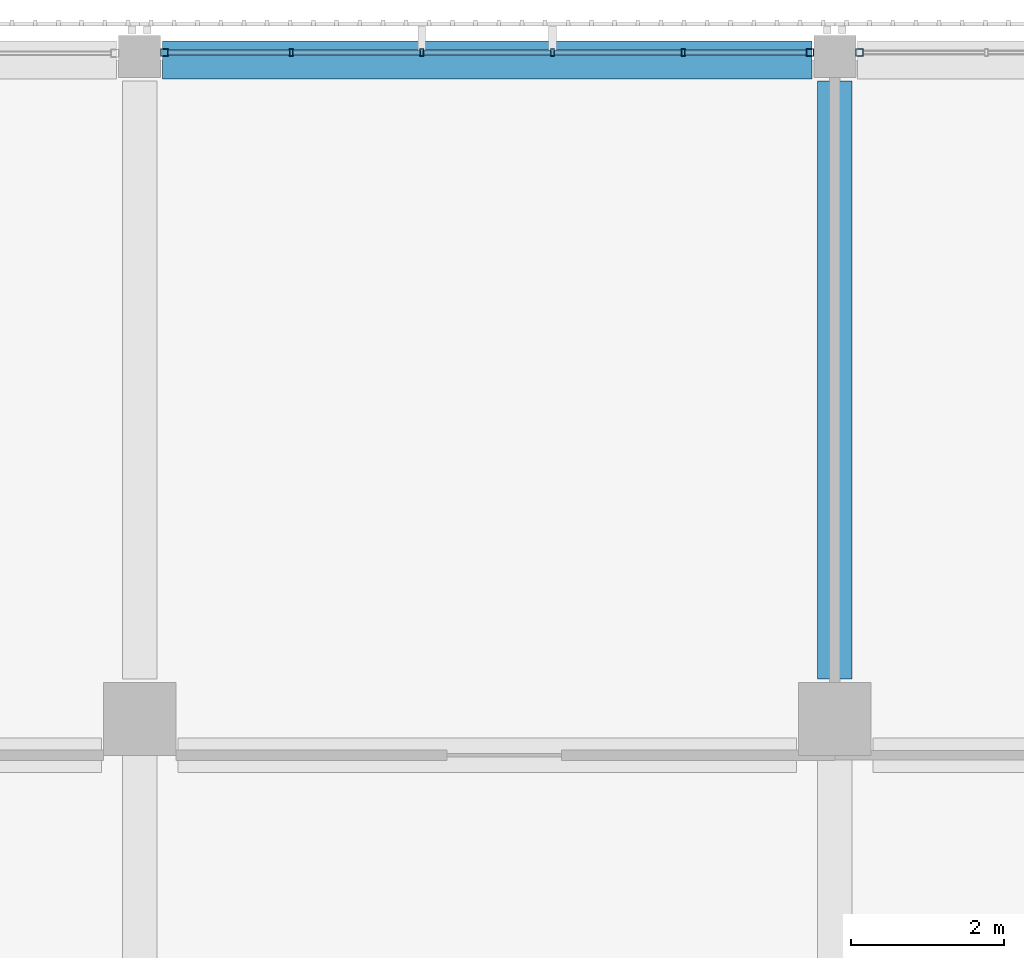
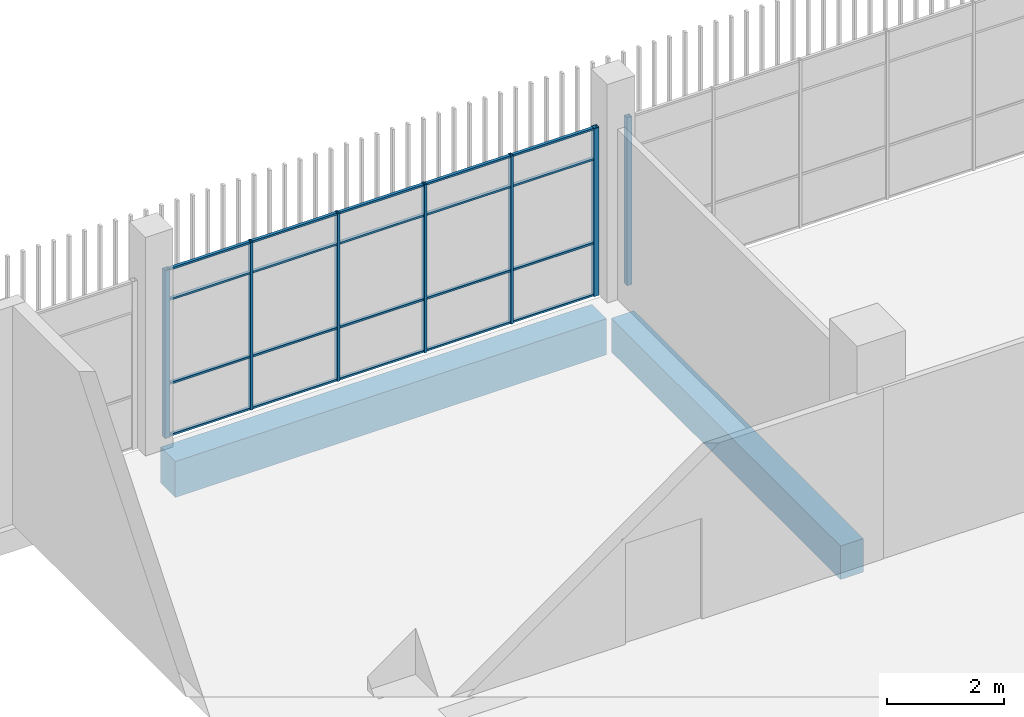
# One storey, part 30 of 104: 27 members, 2 beams, 2 elements without a shape of their own.
"""IFC4 building model written with IfcOpenShell, lengths in metres."""

import ifcopenshell
import ifcopenshell.guid

model = None  # the IFC model being written
_history = None  # IfcOwnerHistory: only IFC2X3 demands one
_inside = {}  # id of a spatial element -> (the spatial element, [elements in it])
_under = {}  # id of a project, library or spatial element -> (it, [spatial elements below it])
_declared = {}  # id of a project -> (the project, [libraries it declares])
_typed = {}  # id of a type object -> (the type object, [elements of that type])
_made_of = {}  # id of a material, layer set ... -> (it, [elements and type objects made of it])


def new_model(schema):
    """Start an empty IFC model of exactly this schema.

    Asked for "IFC4X3", IfcOpenShell would pick the latest addendum, in which some entities
    have other attributes; the version numbers below select the first issue.
    IFC2X3 requires an IfcOwnerHistory on every rooted entity: one is made here for all.
    """
    global model, _history
    if schema == "IFC4X3":
        model = ifcopenshell.file(schema_version=(4, 3, 0, 0))
    else:
        model = ifcopenshell.file(schema=schema)
    _inside.clear()
    _under.clear()
    _declared.clear()
    _typed.clear()
    _made_of.clear()
    _history = None
    if model.schema == "IFC2X3":
        org = make("IfcOrganization", Name="unknown")
        user = make(
            "IfcPersonAndOrganization",
            ThePerson=make("IfcPerson", FamilyName="unknown"),
            TheOrganization=org,
        )
        app = make(
            "IfcApplication",
            ApplicationDeveloper=org,
            Version="unknown",
            ApplicationFullName="unknown",
            ApplicationIdentifier="unknown",
        )
        _history = make(
            "IfcOwnerHistory",
            OwningUser=user,
            OwningApplication=app,
            ChangeAction="ADDED",
            CreationDate=0,
        )
    return model


def make(cls, **values):
    """One entity of the class cls with the attributes given. An attribute that is None is left unset."""
    return model.create_entity(
        cls, **{name: value for name, value in values.items() if value is not None}
    )


def rooted(cls, **values):
    """An entity with a GlobalId (a new one), such as an element, a storey or a relation."""
    return make(cls, GlobalId=ifcopenshell.guid.new(), OwnerHistory=_history, **values)


def si_unit(unit_type, name, prefix=None):
    """IfcSIUnit, for example si_unit("LENGTHUNIT", "METRE", prefix="MILLI")."""
    return make("IfcSIUnit", UnitType=unit_type, Prefix=prefix, Name=name)


def assignment(units):
    """IfcUnitAssignment: the units of a project."""
    return None if units is None else make("IfcUnitAssignment", Units=units)


def point(xyz):
    """IfcCartesianPoint."""
    return None if xyz is None else make("IfcCartesianPoint", Coordinates=xyz)


def direction(xyz):
    """IfcDirection."""
    return None if xyz is None else make("IfcDirection", DirectionRatios=xyz)


def frame(location, z_axis=None, x_axis=None):
    """IfcAxis2Placement3D, a coordinate frame: its origin and axes. An axis left out is left unset."""
    return make(
        "IfcAxis2Placement3D",
        Location=point(location),
        Axis=direction(z_axis),
        RefDirection=direction(x_axis),
    )


def frame_2d(location, x_axis=None):
    """IfcAxis2Placement2D, a coordinate frame in the plane: its origin and x axis."""
    return make(
        "IfcAxis2Placement2D", Location=point(location), RefDirection=direction(x_axis)
    )


def origin():
    """The frame at (0, 0, 0) with its axes left unset."""
    return frame((0.0, 0.0, 0.0))


def origin_2d():
    """The frame at (0, 0) in the plane with its x axis left unset."""
    return frame_2d((0.0, 0.0))


def place(relative_to, where):
    """IfcLocalPlacement: puts the frame where relative to a parent placement (None: the world)."""
    return make(
        "IfcLocalPlacement", PlacementRelTo=relative_to, RelativePlacement=where
    )


def context(
    kind, dimensions, precision=None, world=None, true_north=None, identifier=None
):
    """IfcGeometricRepresentationContext, for example the 3D "Model" context."""
    return make(
        "IfcGeometricRepresentationContext",
        ContextIdentifier=identifier,
        ContextType=kind,
        CoordinateSpaceDimension=dimensions,
        Precision=precision,
        WorldCoordinateSystem=world,
        TrueNorth=true_north,
    )


def subcontext(parent, identifier, kind, view, scale=None):
    """IfcGeometricRepresentationSubContext, for example "Body" below "Model"."""
    return make(
        "IfcGeometricRepresentationSubContext",
        ContextIdentifier=identifier,
        ContextType=kind,
        ParentContext=parent,
        TargetScale=scale,
        TargetView=view,
    )


def project(units=None, contexts=None):
    """IfcProject with its units and contexts."""
    return rooted(
        "IfcProject",
        Name="project",
        RepresentationContexts=contexts,
        UnitsInContext=assignment(units),
    )


def spatial(cls, under=None, at=None, **own):
    """A site, building, storey or space (cls), placed at a placement, below another one or the project."""
    s = rooted(cls, ObjectPlacement=at, **own)
    if under is not None:
        _under.setdefault(under.id(), (under, []))[1].append(s)
    return s


def profile(cls, at=None, kind="AREA", **sizes):
    """A parametric profile (cls). Its sizes go by their IFC names, for example OverallWidth=200.0."""
    return make(cls, ProfileType=kind, Position=at, **sizes)


def rectangle(**sizes):
    """IfcRectangleProfileDef."""
    return profile("IfcRectangleProfileDef", **sizes)


def hollow_rectangle(**sizes):
    """IfcRectangleHollowProfileDef."""
    return profile("IfcRectangleHollowProfileDef", **sizes)


def extrude(swept, where, along, depth):
    """IfcExtrudedAreaSolid: the profile swept, set in the frame where, extruded along a direction by depth."""
    return make(
        "IfcExtrudedAreaSolid",
        SweptArea=swept,
        Position=where,
        ExtrudedDirection=direction(along),
        Depth=depth,
    )


def shape(context_of_items, identifier, shape_type, items):
    """IfcShapeRepresentation: the items that make up one representation, for example the "Body"."""
    return make(
        "IfcShapeRepresentation",
        ContextOfItems=context_of_items,
        RepresentationIdentifier=identifier,
        RepresentationType=shape_type,
        Items=items,
    )


def material(Name=None, Category=None):
    """IfcMaterial."""
    return make("IfcMaterial", Name=Name, Category=Category)


def layer(
    of_material, thickness, ventilated=None, Name=None, Category=None, Priority=None
):
    """IfcMaterialLayer: one layer of a wall or slab, of a material (None: an air gap)."""
    return make(
        "IfcMaterialLayer",
        Material=of_material,
        LayerThickness=thickness,
        IsVentilated=ventilated,
        Name=Name,
        Category=Category,
        Priority=Priority,
    )


def layer_set(layers, Name=None):
    """IfcMaterialLayerSet."""
    return make("IfcMaterialLayerSet", MaterialLayers=layers, LayerSetName=Name)


def material_profile(
    of_material, cross_section, Name=None, Category=None, Priority=None
):
    """IfcMaterialProfile: a cross section and its material."""
    return make(
        "IfcMaterialProfile",
        Name=Name,
        Material=of_material,
        Profile=cross_section,
        Priority=Priority,
        Category=Category,
    )


def profile_set(profiles, Name=None, composite=None):
    """IfcMaterialProfileSet."""
    return make(
        "IfcMaterialProfileSet",
        Name=Name,
        MaterialProfiles=profiles,
        CompositeProfile=composite,
    )


def made_of(thing, what):
    """Note that an element or type object is made of a material, layer set ...; save() writes the relation."""
    if what is not None:
        _made_of.setdefault(what.id(), (what, []))[1].append(thing)
    return thing


def type_object(cls, material=None, **own):
    """A type object (cls), such as IfcWallType, which elements share."""
    return made_of(rooted(cls, **own), material)


def element(
    cls,
    number,
    at=None,
    inside=None,
    cuts=None,
    type_object=None,
    material=None,
    context=None,
    identifier="Body",
    shape_type=None,
    held_by="IfcProductDefinitionShape",
    body=None,
    shapes=None,
    **own,
):
    """One element of the class cls, such as IfcWall. Its Tag is "e" and its number.

    at: its placement. inside: the storey or other place that contains it. cuts: it is an
    opening in that element (IfcRelVoidsElement). A single representation is given by context,
    identifier, shape_type and body (its items); several are given by shapes. held_by: the class
    of the entity that holds the representations. save() writes the other relations.
    """
    e = rooted(cls, Tag="e%d" % number, ObjectPlacement=at, **own)
    if body is not None:
        shapes = [shape(context, identifier, shape_type, body)]
    if shapes is not None:
        e.Representation = make(held_by, Representations=shapes)
    if inside is not None:
        _inside.setdefault(inside.id(), (inside, []))[1].append(e)
    if cuts is not None:
        rooted(
            "IfcRelVoidsElement", RelatingBuildingElement=cuts, RelatedOpeningElement=e
        )
    if type_object is not None:
        _typed.setdefault(type_object.id(), (type_object, []))[1].append(e)
    return made_of(e, material)


def aggregate(whole, parts):
    """IfcRelAggregates: a whole, such as a stair, and the parts it consists of."""
    return rooted("IfcRelAggregates", RelatingObject=whole, RelatedObjects=parts)


def save(model, path):
    """Write the relations noted so far, then the file.

    IfcRelAggregates (storeys below a building ...), IfcRelContainedInSpatialStructure (elements
    in a storey), IfcRelDefinesByType, IfcRelAssociatesMaterial and IfcRelDeclares: one each for
    every whole, place, type object, material and project.
    """
    for whole, parts in _under.values():
        aggregate(whole, parts)
    for where, things in _inside.values():
        rooted(
            "IfcRelContainedInSpatialStructure",
            RelatedElements=things,
            RelatingStructure=where,
        )
    for kind, things in _typed.values():
        rooted("IfcRelDefinesByType", RelatedObjects=things, RelatingType=kind)
    for what, things in _made_of.values():
        rooted("IfcRelAssociatesMaterial", RelatedObjects=things, RelatingMaterial=what)
    for by, libraries in _declared.values():
        rooted("IfcRelDeclares", RelatingContext=by, RelatedDefinitions=libraries)
    model.write(path)


model = new_model("IFC4")

# Units and contexts
model_context = context("Model", 3, precision=1e-05, world=origin(), true_north=direction((0.0, 1.0)))
body_context = subcontext(model_context, "Body", "Model", "MODEL_VIEW")
ifc_project = project(units=[si_unit("LENGTHUNIT", "METRE"), si_unit("AREAUNIT", "SQUARE_METRE"), si_unit("VOLUMEUNIT", "CUBIC_METRE"), si_unit("PLANEANGLEUNIT", "RADIAN"), si_unit("MASSUNIT", "GRAM", prefix="KILO")], contexts=[model_context])

# Site, building, storey
site_placement = place(None, origin())
site = spatial("IfcSite", under=ifc_project, at=site_placement, CompositionType="ELEMENT")
building_placement = place(site_placement, origin())
building = spatial("IfcBuilding", under=site, at=building_placement, Name="Shirokan Park Arena", CompositionType="ELEMENT")
storey_placement = place(building_placement, frame((0.0, 0.0, 10.919921875)))
storey = spatial("IfcBuildingStorey", under=building, at=storey_placement, Name="L02", CompositionType="ELEMENT", Elevation=10.919921875)

# Curtain wall, member
ifc_material_1 = material(Name="Steel and glass curtain wall", Category="steel")
ifc_layer = layer(ifc_material_1, 0.10009765625)
ifc_layer_set = layer_set([ifc_layer], Name="Steel and glass curtain wall 100 mm")
curtain_wall_type = type_object("IfcCurtainWallType", Name="Curtain wall sheltered bay 100", PredefinedType="NOTDEFINED", material=ifc_layer_set)
curtain_wall_1_placement = place(storey_placement, origin())
curtain_wall_1 = element("IfcCurtainWall", 1, at=curtain_wall_1_placement, inside=storey, type_object=curtain_wall_type, Name="Curtain wall north bay 8 L02", PredefinedType="NOTDEFINED")
ifc_material_2 = material(Name="Steel S355", Category="steel")
ifc_material_profile_1 = material_profile(ifc_material_2, hollow_rectangle(XDim=0.10009765625, YDim=0.10009765625, WallThickness=0.006103515625, at=origin_2d()), Name="RHS 100x100x6")
ifc_profile_set_1 = profile_set([ifc_material_profile_1], Name="Steel S355")
member_type_1 = type_object("IfcMemberType", Name="Mullion RHS 100x100x6", PredefinedType="MULLION", material=ifc_profile_set_1)
member_1_placement = place(storey_placement, frame((73.125, 109.300048828125, 0.0), z_axis=(0.0, 0.0, 1.0), x_axis=(0.0, -1.0, 0.0)))
member_1 = element("IfcMember", 2, at=member_1_placement, type_object=member_type_1, Name="CW2 mullion 6", PredefinedType="MULLION", context=body_context, shape_type="SweptSolid", body=[
    extrude(hollow_rectangle(XDim=0.10009765625, YDim=0.10009765625, WallThickness=0.006103515625, at=origin_2d()), origin(), (0.0, 0.0, 1.0), 3.5),
])
aggregate(curtain_wall_1, [member_1])

# Curtain wall, members
curtain_wall_2_placement = place(storey_placement, origin())
curtain_wall_2 = element("IfcCurtainWall", 3, at=curtain_wall_2_placement, inside=storey, type_object=curtain_wall_type, Name="Curtain wall north bay 9 L02", PredefinedType="NOTDEFINED")
member_2_placement = place(storey_placement, frame((72.47509765625, 109.300048828125, 0.0), z_axis=(0.0, 0.0, 1.0), x_axis=(0.0, -1.0, 0.0)))
member_2 = element("IfcMember", 4, at=member_2_placement, type_object=member_type_1, Name="CW2 mullion 1", PredefinedType="MULLION", context=body_context, shape_type="SweptSolid", body=[
    extrude(hollow_rectangle(XDim=0.10009765625, YDim=0.10009765625, WallThickness=0.006103515625, at=origin_2d()), origin(), (0.0, 0.0, 1.0), 3.5),
])
member_3_placement = place(storey_placement, frame((64.02490234375, 109.300048828125, 0.0), z_axis=(0.0, 0.0, 1.0), x_axis=(0.0, -1.0, 0.0)))
member_3 = element("IfcMember", 5, at=member_3_placement, type_object=member_type_1, Name="CW2 mullion 6", PredefinedType="MULLION", context=body_context, shape_type="SweptSolid", body=[
    extrude(hollow_rectangle(XDim=0.10009765625, YDim=0.10009765625, WallThickness=0.006103515625, at=origin_2d()), origin(), (0.0, 0.0, 1.0), 3.5),
])
ifc_material_profile_2 = material_profile(ifc_material_2, hollow_rectangle(XDim=0.10009765625, YDim=0.050048828125, WallThickness=0.0048828125, at=origin_2d()), Name="RHS 100x50x5")
ifc_profile_set_2 = profile_set([ifc_material_profile_2], Name="Steel S355")
member_type_2 = type_object("IfcMemberType", Name="Mullion RHS 100x50x5", PredefinedType="MULLION", material=ifc_profile_set_2)
member_4_placement = place(storey_placement, frame((70.81494140625, 109.300048828125, 0.0), z_axis=(0.0, 0.0, 1.0), x_axis=(0.0, -1.0, 0.0)))
member_4 = element("IfcMember", 6, at=member_4_placement, type_object=member_type_2, Name="CW2 mullion 2", PredefinedType="MULLION", context=body_context, shape_type="SweptSolid", body=[
    extrude(hollow_rectangle(XDim=0.10009765625, YDim=0.050048828125, WallThickness=0.0048828125, at=origin_2d()), origin(), (0.0, 0.0, 1.0), 3.5),
])
member_5_placement = place(storey_placement, frame((69.10498046875, 109.300048828125, 0.0), z_axis=(0.0, 0.0, 1.0), x_axis=(0.0, -1.0, 0.0)))
member_5 = element("IfcMember", 7, at=member_5_placement, type_object=member_type_2, Name="CW2 mullion 3", PredefinedType="MULLION", context=body_context, shape_type="SweptSolid", body=[
    extrude(hollow_rectangle(XDim=0.10009765625, YDim=0.050048828125, WallThickness=0.0048828125, at=origin_2d()), origin(), (0.0, 0.0, 1.0), 3.5),
])
member_6_placement = place(storey_placement, frame((67.39501953125, 109.300048828125, 0.0), z_axis=(0.0, 0.0, 1.0), x_axis=(0.0, -1.0, 0.0)))
member_6 = element("IfcMember", 8, at=member_6_placement, type_object=member_type_2, Name="CW2 mullion 4", PredefinedType="MULLION", context=body_context, shape_type="SweptSolid", body=[
    extrude(hollow_rectangle(XDim=0.10009765625, YDim=0.050048828125, WallThickness=0.0048828125, at=origin_2d()), origin(), (0.0, 0.0, 1.0), 3.5),
])
member_7_placement = place(storey_placement, frame((65.68505859375, 109.300048828125, 0.0), z_axis=(0.0, 0.0, 1.0), x_axis=(0.0, -1.0, 0.0)))
member_7 = element("IfcMember", 9, at=member_7_placement, type_object=member_type_2, Name="CW2 mullion 5", PredefinedType="MULLION", context=body_context, shape_type="SweptSolid", body=[
    extrude(hollow_rectangle(XDim=0.10009765625, YDim=0.050048828125, WallThickness=0.0048828125, at=origin_2d()), origin(), (0.0, 0.0, 1.0), 3.5),
])

# Beams
ifc_material_3 = material(Name="Concrete C35", Category="concrete")
ifc_material_profile_3 = material_profile(ifc_material_3, rectangle(XDim=0.449951171875, YDim=0.699951171875, at=origin_2d()), Name="450x700")
ifc_profile_set_3 = profile_set([ifc_material_profile_3], Name="Concrete C35")
beam_type_1 = type_object("IfcBeamType", Name="RC girder 450x700", PredefinedType="BEAM", material=ifc_profile_set_3)
beam_1_placement = place(storey_placement, frame((72.800048828125, 101.10009765625, -0.64990234375), z_axis=(0.0, 1.0, 0.0), x_axis=(-1.0, 0.0, 0.0)))
element("IfcBeam", 10, at=beam_1_placement, inside=storey, type_object=beam_type_1, Name="Girder 9M-9N L02", PredefinedType="BEAM", context=body_context, shape_type="SweptSolid", body=[
    extrude(rectangle(XDim=0.449951171875, YDim=0.699951171875, at=origin_2d()), origin(), (0.0, 0.0, 1.0), 7.82470703125),
])
ifc_material_profile_4 = material_profile(ifc_material_3, rectangle(XDim=0.5, YDim=0.75, at=origin_2d()), Name="500x750")
ifc_profile_set_4 = profile_set([ifc_material_profile_4], Name="Concrete C35")
beam_type_2 = type_object("IfcBeamType", Name="RC girder 500x750", PredefinedType="BEAM", material=ifc_profile_set_4)
beam_2_placement = place(storey_placement, frame((64.0, 109.199951171875, -0.6748046875), z_axis=(1.0, 0.0, 0.0), x_axis=(0.0, 1.0, 0.0)))
element("IfcBeam", 11, at=beam_2_placement, inside=storey, type_object=beam_type_2, Name="Girder 8N-9N L02", PredefinedType="BEAM", context=body_context, shape_type="SweptSolid", body=[
    extrude(rectangle(XDim=0.5, YDim=0.75, at=origin_2d()), origin(), (0.0, 0.0, 1.0), 8.5),
])

# Member
ifc_material_profile_5 = material_profile(ifc_material_2, hollow_rectangle(XDim=0.06005859375, YDim=0.0400390625, WallThickness=0.00390625, at=origin_2d()), Name="RHS 60x40x4")
ifc_profile_set_5 = profile_set([ifc_material_profile_5], Name="Steel S355")
member_type_3 = type_object("IfcMemberType", Name="Transom RHS 60x40x4", PredefinedType="MULLION", material=ifc_profile_set_5)
member_8_placement = place(storey_placement, frame((72.425048828125, 109.300048828125, 0.02001953125), z_axis=(-1.0, 0.0, 0.0), x_axis=(0.0, -1.0, 0.0)))
member_8 = element("IfcMember", 12, at=member_8_placement, type_object=member_type_3, Name="CW2 transom 1.1", PredefinedType="MULLION", context=body_context, shape_type="SweptSolid", body=[
    extrude(hollow_rectangle(XDim=0.06005859375, YDim=0.0400390625, WallThickness=0.00390625, at=origin_2d()), origin(), (0.0, 0.0, 1.0), 1.5849609375),
])

member_9_placement = place(storey_placement, frame((72.425048828125, 109.300048828125, 1.10009765625), z_axis=(-1.0, 0.0, 0.0), x_axis=(0.0, -1.0, 0.0)))
member_9 = element("IfcMember", 13, at=member_9_placement, type_object=member_type_3, Name="CW2 transom 1.2", PredefinedType="MULLION", context=body_context, shape_type="SweptSolid", body=[
    extrude(hollow_rectangle(XDim=0.06005859375, YDim=0.0400390625, WallThickness=0.00390625, at=origin_2d()), origin(), (0.0, 0.0, 1.0), 1.5849609375),
])

member_10_placement = place(storey_placement, frame((72.425048828125, 109.300048828125, 2.85009765625), z_axis=(-1.0, 0.0, 0.0), x_axis=(0.0, -1.0, 0.0)))
member_10 = element("IfcMember", 14, at=member_10_placement, type_object=member_type_3, Name="CW2 transom 1.3", PredefinedType="MULLION", context=body_context, shape_type="SweptSolid", body=[
    extrude(hollow_rectangle(XDim=0.06005859375, YDim=0.0400390625, WallThickness=0.00390625, at=origin_2d()), origin(), (0.0, 0.0, 1.0), 1.5849609375),
])

member_11_placement = place(storey_placement, frame((72.425048828125, 109.300048828125, 3.47998046875), z_axis=(-1.0, 0.0, 0.0), x_axis=(0.0, -1.0, 0.0)))
member_11 = element("IfcMember", 15, at=member_11_placement, type_object=member_type_3, Name="CW2 transom 1.4", PredefinedType="MULLION", context=body_context, shape_type="SweptSolid", body=[
    extrude(hollow_rectangle(XDim=0.06005859375, YDim=0.0400390625, WallThickness=0.00390625, at=origin_2d()), origin(), (0.0, 0.0, 1.0), 1.5849609375),
])

member_12_placement = place(storey_placement, frame((70.7900390625, 109.300048828125, 0.02001953125), z_axis=(-1.0, 0.0, 0.0), x_axis=(0.0, -1.0, 0.0)))
member_12 = element("IfcMember", 16, at=member_12_placement, type_object=member_type_3, Name="CW2 transom 2.1", PredefinedType="MULLION", context=body_context, shape_type="SweptSolid", body=[
    extrude(hollow_rectangle(XDim=0.06005859375, YDim=0.0400390625, WallThickness=0.00390625, at=origin_2d()), origin(), (0.0, 0.0, 1.0), 1.66015625),
])

member_13_placement = place(storey_placement, frame((70.7900390625, 109.300048828125, 1.10009765625), z_axis=(-1.0, 0.0, 0.0), x_axis=(0.0, -1.0, 0.0)))
member_13 = element("IfcMember", 17, at=member_13_placement, type_object=member_type_3, Name="CW2 transom 2.2", PredefinedType="MULLION", context=body_context, shape_type="SweptSolid", body=[
    extrude(hollow_rectangle(XDim=0.06005859375, YDim=0.0400390625, WallThickness=0.00390625, at=origin_2d()), origin(), (0.0, 0.0, 1.0), 1.66015625),
])

member_14_placement = place(storey_placement, frame((70.7900390625, 109.300048828125, 2.85009765625), z_axis=(-1.0, 0.0, 0.0), x_axis=(0.0, -1.0, 0.0)))
member_14 = element("IfcMember", 18, at=member_14_placement, type_object=member_type_3, Name="CW2 transom 2.3", PredefinedType="MULLION", context=body_context, shape_type="SweptSolid", body=[
    extrude(hollow_rectangle(XDim=0.06005859375, YDim=0.0400390625, WallThickness=0.00390625, at=origin_2d()), origin(), (0.0, 0.0, 1.0), 1.66015625),
])

member_15_placement = place(storey_placement, frame((70.7900390625, 109.300048828125, 3.47998046875), z_axis=(-1.0, 0.0, 0.0), x_axis=(0.0, -1.0, 0.0)))
member_15 = element("IfcMember", 19, at=member_15_placement, type_object=member_type_3, Name="CW2 transom 2.4", PredefinedType="MULLION", context=body_context, shape_type="SweptSolid", body=[
    extrude(hollow_rectangle(XDim=0.06005859375, YDim=0.0400390625, WallThickness=0.00390625, at=origin_2d()), origin(), (0.0, 0.0, 1.0), 1.66015625),
])

member_16_placement = place(storey_placement, frame((69.080078125, 109.300048828125, 0.02001953125), z_axis=(-1.0, 0.0, 0.0), x_axis=(0.0, -1.0, 0.0)))
member_16 = element("IfcMember", 20, at=member_16_placement, type_object=member_type_3, Name="CW2 transom 3.1", PredefinedType="MULLION", context=body_context, shape_type="SweptSolid", body=[
    extrude(hollow_rectangle(XDim=0.06005859375, YDim=0.0400390625, WallThickness=0.00390625, at=origin_2d()), origin(), (0.0, 0.0, 1.0), 1.66015625),
])

member_17_placement = place(storey_placement, frame((69.080078125, 109.300048828125, 1.10009765625), z_axis=(-1.0, 0.0, 0.0), x_axis=(0.0, -1.0, 0.0)))
member_17 = element("IfcMember", 21, at=member_17_placement, type_object=member_type_3, Name="CW2 transom 3.2", PredefinedType="MULLION", context=body_context, shape_type="SweptSolid", body=[
    extrude(hollow_rectangle(XDim=0.06005859375, YDim=0.0400390625, WallThickness=0.00390625, at=origin_2d()), origin(), (0.0, 0.0, 1.0), 1.66015625),
])

member_18_placement = place(storey_placement, frame((69.080078125, 109.300048828125, 2.85009765625), z_axis=(-1.0, 0.0, 0.0), x_axis=(0.0, -1.0, 0.0)))
member_18 = element("IfcMember", 22, at=member_18_placement, type_object=member_type_3, Name="CW2 transom 3.3", PredefinedType="MULLION", context=body_context, shape_type="SweptSolid", body=[
    extrude(hollow_rectangle(XDim=0.06005859375, YDim=0.0400390625, WallThickness=0.00390625, at=origin_2d()), origin(), (0.0, 0.0, 1.0), 1.66015625),
])

member_19_placement = place(storey_placement, frame((69.080078125, 109.300048828125, 3.47998046875), z_axis=(-1.0, 0.0, 0.0), x_axis=(0.0, -1.0, 0.0)))
member_19 = element("IfcMember", 23, at=member_19_placement, type_object=member_type_3, Name="CW2 transom 3.4", PredefinedType="MULLION", context=body_context, shape_type="SweptSolid", body=[
    extrude(hollow_rectangle(XDim=0.06005859375, YDim=0.0400390625, WallThickness=0.00390625, at=origin_2d()), origin(), (0.0, 0.0, 1.0), 1.66015625),
])

member_20_placement = place(storey_placement, frame((67.3701171875, 109.300048828125, 0.02001953125), z_axis=(-1.0, 0.0, 0.0), x_axis=(0.0, -1.0, 0.0)))
member_20 = element("IfcMember", 24, at=member_20_placement, type_object=member_type_3, Name="CW2 transom 4.1", PredefinedType="MULLION", context=body_context, shape_type="SweptSolid", body=[
    extrude(hollow_rectangle(XDim=0.06005859375, YDim=0.0400390625, WallThickness=0.00390625, at=origin_2d()), origin(), (0.0, 0.0, 1.0), 1.66015625),
])

member_21_placement = place(storey_placement, frame((67.3701171875, 109.300048828125, 1.10009765625), z_axis=(-1.0, 0.0, 0.0), x_axis=(0.0, -1.0, 0.0)))
member_21 = element("IfcMember", 25, at=member_21_placement, type_object=member_type_3, Name="CW2 transom 4.2", PredefinedType="MULLION", context=body_context, shape_type="SweptSolid", body=[
    extrude(hollow_rectangle(XDim=0.06005859375, YDim=0.0400390625, WallThickness=0.00390625, at=origin_2d()), origin(), (0.0, 0.0, 1.0), 1.66015625),
])

member_22_placement = place(storey_placement, frame((67.3701171875, 109.300048828125, 2.85009765625), z_axis=(-1.0, 0.0, 0.0), x_axis=(0.0, -1.0, 0.0)))
member_22 = element("IfcMember", 26, at=member_22_placement, type_object=member_type_3, Name="CW2 transom 4.3", PredefinedType="MULLION", context=body_context, shape_type="SweptSolid", body=[
    extrude(hollow_rectangle(XDim=0.06005859375, YDim=0.0400390625, WallThickness=0.00390625, at=origin_2d()), origin(), (0.0, 0.0, 1.0), 1.66015625),
])

member_23_placement = place(storey_placement, frame((67.3701171875, 109.300048828125, 3.47998046875), z_axis=(-1.0, 0.0, 0.0), x_axis=(0.0, -1.0, 0.0)))
member_23 = element("IfcMember", 27, at=member_23_placement, type_object=member_type_3, Name="CW2 transom 4.4", PredefinedType="MULLION", context=body_context, shape_type="SweptSolid", body=[
    extrude(hollow_rectangle(XDim=0.06005859375, YDim=0.0400390625, WallThickness=0.00390625, at=origin_2d()), origin(), (0.0, 0.0, 1.0), 1.66015625),
])

member_24_placement = place(storey_placement, frame((65.659912109375, 109.300048828125, 0.02001953125), z_axis=(-1.0, 0.0, 0.0), x_axis=(0.0, -1.0, 0.0)))
member_24 = element("IfcMember", 28, at=member_24_placement, type_object=member_type_3, Name="CW2 transom 5.1", PredefinedType="MULLION", context=body_context, shape_type="SweptSolid", body=[
    extrude(hollow_rectangle(XDim=0.06005859375, YDim=0.0400390625, WallThickness=0.00390625, at=origin_2d()), origin(), (0.0, 0.0, 1.0), 1.5849609375),
])

member_25_placement = place(storey_placement, frame((65.659912109375, 109.300048828125, 1.10009765625), z_axis=(-1.0, 0.0, 0.0), x_axis=(0.0, -1.0, 0.0)))
member_25 = element("IfcMember", 29, at=member_25_placement, type_object=member_type_3, Name="CW2 transom 5.2", PredefinedType="MULLION", context=body_context, shape_type="SweptSolid", body=[
    extrude(hollow_rectangle(XDim=0.06005859375, YDim=0.0400390625, WallThickness=0.00390625, at=origin_2d()), origin(), (0.0, 0.0, 1.0), 1.5849609375),
])

member_26_placement = place(storey_placement, frame((65.659912109375, 109.300048828125, 2.85009765625), z_axis=(-1.0, 0.0, 0.0), x_axis=(0.0, -1.0, 0.0)))
member_26 = element("IfcMember", 30, at=member_26_placement, type_object=member_type_3, Name="CW2 transom 5.3", PredefinedType="MULLION", context=body_context, shape_type="SweptSolid", body=[
    extrude(hollow_rectangle(XDim=0.06005859375, YDim=0.0400390625, WallThickness=0.00390625, at=origin_2d()), origin(), (0.0, 0.0, 1.0), 1.5849609375),
])

member_27_placement = place(storey_placement, frame((65.659912109375, 109.300048828125, 3.47998046875), z_axis=(-1.0, 0.0, 0.0), x_axis=(0.0, -1.0, 0.0)))
member_27 = element("IfcMember", 31, at=member_27_placement, type_object=member_type_3, Name="CW2 transom 5.4", PredefinedType="MULLION", context=body_context, shape_type="SweptSolid", body=[
    extrude(hollow_rectangle(XDim=0.06005859375, YDim=0.0400390625, WallThickness=0.00390625, at=origin_2d()), origin(), (0.0, 0.0, 1.0), 1.5849609375),
])

aggregate(curtain_wall_2, [member_2, member_4, member_5, member_6, member_7, member_3, member_8, member_9, member_10, member_11, member_12, member_13, member_14, member_15, member_16, member_17, member_18, member_19, member_20, member_21, member_22, member_23, member_24, member_25, member_26, member_27])

save(model, "model.ifc")
